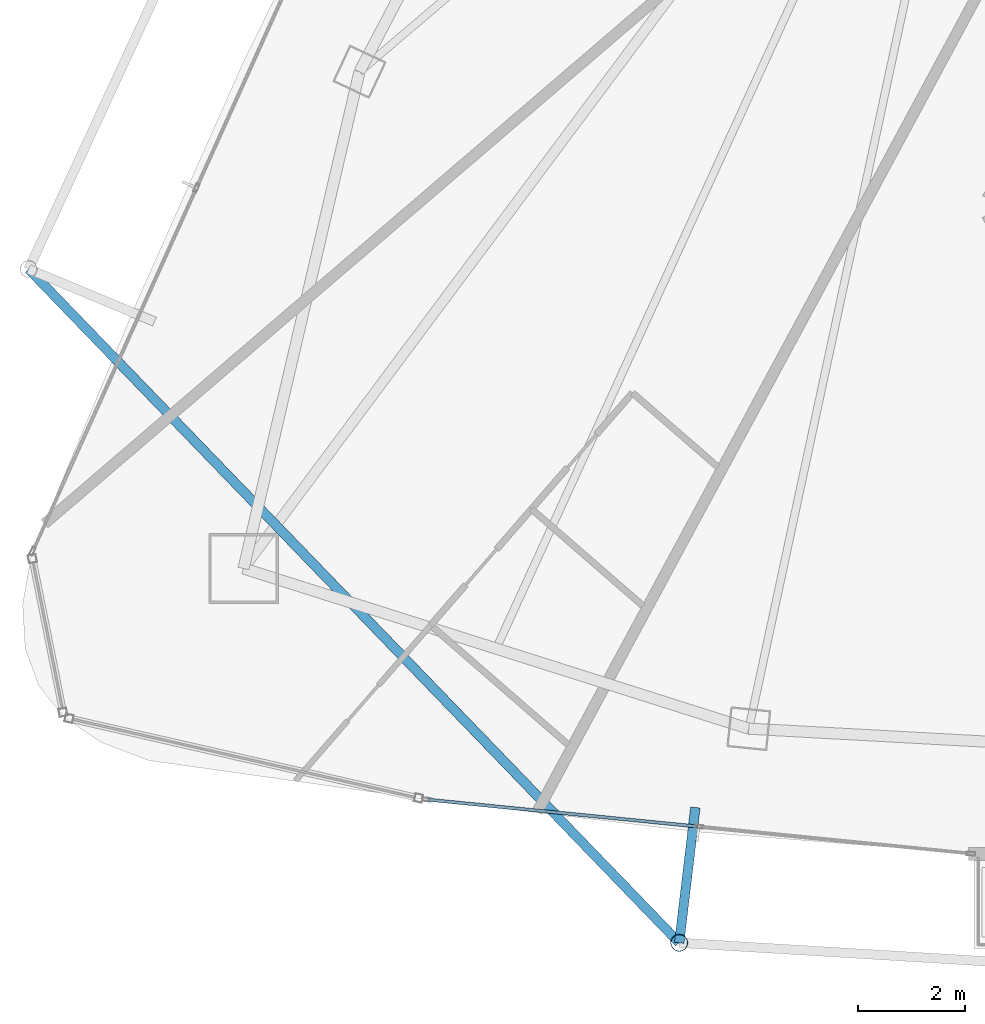
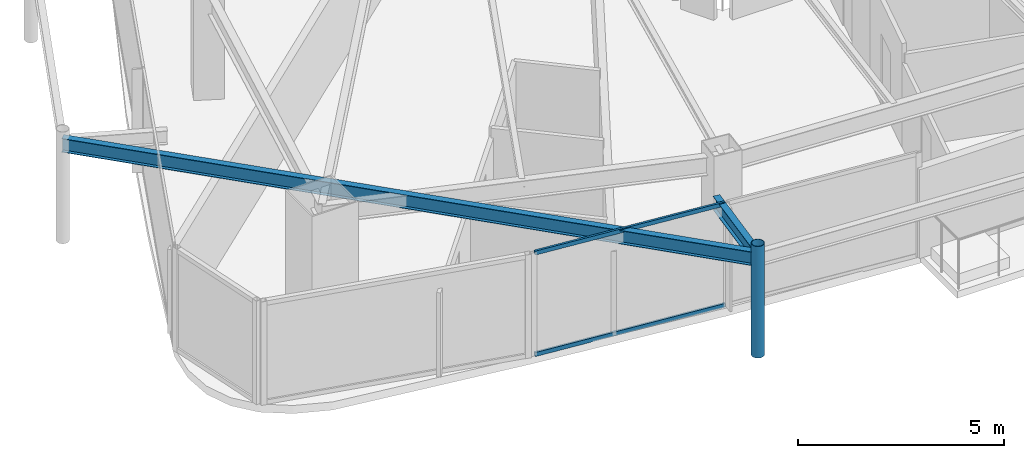
# One storey, part 3 of 30: 3 members, 2 beams, 1 element without a shape of its own.
"""IFC4 building model written with IfcOpenShell, lengths in metres."""

import ifcopenshell
import ifcopenshell.guid

model = None  # the IFC model being written
_history = None  # IfcOwnerHistory: only IFC2X3 demands one
_inside = {}  # id of a spatial element -> (the spatial element, [elements in it])
_under = {}  # id of a project, library or spatial element -> (it, [spatial elements below it])
_declared = {}  # id of a project -> (the project, [libraries it declares])
_typed = {}  # id of a type object -> (the type object, [elements of that type])
_made_of = {}  # id of a material, layer set ... -> (it, [elements and type objects made of it])


def new_model(schema):
    """Start an empty IFC model of exactly this schema.

    Asked for "IFC4X3", IfcOpenShell would pick the latest addendum, in which some entities
    have other attributes; the version numbers below select the first issue.
    IFC2X3 requires an IfcOwnerHistory on every rooted entity: one is made here for all.
    """
    global model, _history
    if schema == "IFC4X3":
        model = ifcopenshell.file(schema_version=(4, 3, 0, 0))
    else:
        model = ifcopenshell.file(schema=schema)
    _inside.clear()
    _under.clear()
    _declared.clear()
    _typed.clear()
    _made_of.clear()
    _history = None
    if model.schema == "IFC2X3":
        org = make("IfcOrganization", Name="unknown")
        user = make(
            "IfcPersonAndOrganization",
            ThePerson=make("IfcPerson", FamilyName="unknown"),
            TheOrganization=org,
        )
        app = make(
            "IfcApplication",
            ApplicationDeveloper=org,
            Version="unknown",
            ApplicationFullName="unknown",
            ApplicationIdentifier="unknown",
        )
        _history = make(
            "IfcOwnerHistory",
            OwningUser=user,
            OwningApplication=app,
            ChangeAction="ADDED",
            CreationDate=0,
        )
    return model


def make(cls, **values):
    """One entity of the class cls with the attributes given. An attribute that is None is left unset."""
    return model.create_entity(
        cls, **{name: value for name, value in values.items() if value is not None}
    )


def rooted(cls, **values):
    """An entity with a GlobalId (a new one), such as an element, a storey or a relation."""
    return make(cls, GlobalId=ifcopenshell.guid.new(), OwnerHistory=_history, **values)


def si_unit(unit_type, name, prefix=None):
    """IfcSIUnit, for example si_unit("LENGTHUNIT", "METRE", prefix="MILLI")."""
    return make("IfcSIUnit", UnitType=unit_type, Prefix=prefix, Name=name)


def assignment(units):
    """IfcUnitAssignment: the units of a project."""
    return None if units is None else make("IfcUnitAssignment", Units=units)


def point(xyz):
    """IfcCartesianPoint."""
    return None if xyz is None else make("IfcCartesianPoint", Coordinates=xyz)


def direction(xyz):
    """IfcDirection."""
    return None if xyz is None else make("IfcDirection", DirectionRatios=xyz)


def frame(location, z_axis=None, x_axis=None):
    """IfcAxis2Placement3D, a coordinate frame: its origin and axes. An axis left out is left unset."""
    return make(
        "IfcAxis2Placement3D",
        Location=point(location),
        Axis=direction(z_axis),
        RefDirection=direction(x_axis),
    )


def frame_2d(location, x_axis=None):
    """IfcAxis2Placement2D, a coordinate frame in the plane: its origin and x axis."""
    return make(
        "IfcAxis2Placement2D", Location=point(location), RefDirection=direction(x_axis)
    )


def origin():
    """The frame at (0, 0, 0) with its axes left unset."""
    return frame((0.0, 0.0, 0.0))


def origin_2d():
    """The frame at (0, 0) in the plane with its x axis left unset."""
    return frame_2d((0.0, 0.0))


def place(relative_to, where):
    """IfcLocalPlacement: puts the frame where relative to a parent placement (None: the world)."""
    return make(
        "IfcLocalPlacement", PlacementRelTo=relative_to, RelativePlacement=where
    )


def context(
    kind, dimensions, precision=None, world=None, true_north=None, identifier=None
):
    """IfcGeometricRepresentationContext, for example the 3D "Model" context."""
    return make(
        "IfcGeometricRepresentationContext",
        ContextIdentifier=identifier,
        ContextType=kind,
        CoordinateSpaceDimension=dimensions,
        Precision=precision,
        WorldCoordinateSystem=world,
        TrueNorth=true_north,
    )


def subcontext(parent, identifier, kind, view, scale=None):
    """IfcGeometricRepresentationSubContext, for example "Body" below "Model"."""
    return make(
        "IfcGeometricRepresentationSubContext",
        ContextIdentifier=identifier,
        ContextType=kind,
        ParentContext=parent,
        TargetScale=scale,
        TargetView=view,
    )


def project(units=None, contexts=None):
    """IfcProject with its units and contexts."""
    return rooted(
        "IfcProject",
        Name="project",
        RepresentationContexts=contexts,
        UnitsInContext=assignment(units),
    )


def spatial(cls, under=None, at=None, **own):
    """A site, building, storey or space (cls), placed at a placement, below another one or the project."""
    s = rooted(cls, ObjectPlacement=at, **own)
    if under is not None:
        _under.setdefault(under.id(), (under, []))[1].append(s)
    return s


def profile(cls, at=None, kind="AREA", **sizes):
    """A parametric profile (cls). Its sizes go by their IFC names, for example OverallWidth=200.0."""
    return make(cls, ProfileType=kind, Position=at, **sizes)


def hollow_rectangle(**sizes):
    """IfcRectangleHollowProfileDef."""
    return profile("IfcRectangleHollowProfileDef", **sizes)


def hollow_circle(**sizes):
    """IfcCircleHollowProfileDef."""
    return profile("IfcCircleHollowProfileDef", **sizes)


def i_section(**sizes):
    """IfcIShapeProfileDef."""
    return profile("IfcIShapeProfileDef", **sizes)


def extrude(swept, where, along, depth):
    """IfcExtrudedAreaSolid: the profile swept, set in the frame where, extruded along a direction by depth."""
    return make(
        "IfcExtrudedAreaSolid",
        SweptArea=swept,
        Position=where,
        ExtrudedDirection=direction(along),
        Depth=depth,
    )


def shape(context_of_items, identifier, shape_type, items):
    """IfcShapeRepresentation: the items that make up one representation, for example the "Body"."""
    return make(
        "IfcShapeRepresentation",
        ContextOfItems=context_of_items,
        RepresentationIdentifier=identifier,
        RepresentationType=shape_type,
        Items=items,
    )


def material(Name=None, Category=None):
    """IfcMaterial."""
    return make("IfcMaterial", Name=Name, Category=Category)


def layer(
    of_material, thickness, ventilated=None, Name=None, Category=None, Priority=None
):
    """IfcMaterialLayer: one layer of a wall or slab, of a material (None: an air gap)."""
    return make(
        "IfcMaterialLayer",
        Material=of_material,
        LayerThickness=thickness,
        IsVentilated=ventilated,
        Name=Name,
        Category=Category,
        Priority=Priority,
    )


def layer_set(layers, Name=None):
    """IfcMaterialLayerSet."""
    return make("IfcMaterialLayerSet", MaterialLayers=layers, LayerSetName=Name)


def material_profile(
    of_material, cross_section, Name=None, Category=None, Priority=None
):
    """IfcMaterialProfile: a cross section and its material."""
    return make(
        "IfcMaterialProfile",
        Name=Name,
        Material=of_material,
        Profile=cross_section,
        Priority=Priority,
        Category=Category,
    )


def profile_set(profiles, Name=None, composite=None):
    """IfcMaterialProfileSet."""
    return make(
        "IfcMaterialProfileSet",
        Name=Name,
        MaterialProfiles=profiles,
        CompositeProfile=composite,
    )


def made_of(thing, what):
    """Note that an element or type object is made of a material, layer set ...; save() writes the relation."""
    if what is not None:
        _made_of.setdefault(what.id(), (what, []))[1].append(thing)
    return thing


def type_object(cls, material=None, **own):
    """A type object (cls), such as IfcWallType, which elements share."""
    return made_of(rooted(cls, **own), material)


def element(
    cls,
    number,
    at=None,
    inside=None,
    cuts=None,
    type_object=None,
    material=None,
    context=None,
    identifier="Body",
    shape_type=None,
    held_by="IfcProductDefinitionShape",
    body=None,
    shapes=None,
    **own,
):
    """One element of the class cls, such as IfcWall. Its Tag is "e" and its number.

    at: its placement. inside: the storey or other place that contains it. cuts: it is an
    opening in that element (IfcRelVoidsElement). A single representation is given by context,
    identifier, shape_type and body (its items); several are given by shapes. held_by: the class
    of the entity that holds the representations. save() writes the other relations.
    """
    e = rooted(cls, Tag="e%d" % number, ObjectPlacement=at, **own)
    if body is not None:
        shapes = [shape(context, identifier, shape_type, body)]
    if shapes is not None:
        e.Representation = make(held_by, Representations=shapes)
    if inside is not None:
        _inside.setdefault(inside.id(), (inside, []))[1].append(e)
    if cuts is not None:
        rooted(
            "IfcRelVoidsElement", RelatingBuildingElement=cuts, RelatedOpeningElement=e
        )
    if type_object is not None:
        _typed.setdefault(type_object.id(), (type_object, []))[1].append(e)
    return made_of(e, material)


def aggregate(whole, parts):
    """IfcRelAggregates: a whole, such as a stair, and the parts it consists of."""
    return rooted("IfcRelAggregates", RelatingObject=whole, RelatedObjects=parts)


def save(model, path):
    """Write the relations noted so far, then the file.

    IfcRelAggregates (storeys below a building ...), IfcRelContainedInSpatialStructure (elements
    in a storey), IfcRelDefinesByType, IfcRelAssociatesMaterial and IfcRelDeclares: one each for
    every whole, place, type object, material and project.
    """
    for whole, parts in _under.values():
        aggregate(whole, parts)
    for where, things in _inside.values():
        rooted(
            "IfcRelContainedInSpatialStructure",
            RelatedElements=things,
            RelatingStructure=where,
        )
    for kind, things in _typed.values():
        rooted("IfcRelDefinesByType", RelatedObjects=things, RelatingType=kind)
    for what, things in _made_of.values():
        rooted("IfcRelAssociatesMaterial", RelatedObjects=things, RelatingMaterial=what)
    for by, libraries in _declared.values():
        rooted("IfcRelDeclares", RelatingContext=by, RelatedDefinitions=libraries)
    model.write(path)


model = new_model("IFC4")

# Units and contexts
model_context = context("Model", 3, precision=1e-05, world=origin(), true_north=direction((0.0, 1.0)))
body_context = subcontext(model_context, "Body", "Model", "MODEL_VIEW")
ifc_project = project(units=[si_unit("LENGTHUNIT", "METRE"), si_unit("AREAUNIT", "SQUARE_METRE"), si_unit("VOLUMEUNIT", "CUBIC_METRE"), si_unit("PLANEANGLEUNIT", "RADIAN"), si_unit("MASSUNIT", "GRAM", prefix="KILO")], contexts=[model_context])

# Site, building, storey
site_placement = place(None, origin())
site = spatial("IfcSite", under=ifc_project, at=site_placement, CompositionType="ELEMENT")
building_placement = place(site_placement, origin())
building = spatial("IfcBuilding", under=site, at=building_placement, Name="Orvanel Arch Residences", CompositionType="ELEMENT")
storey_placement = place(building_placement, frame((0.0, 0.0, 226.10009765625)))
storey = spatial("IfcBuildingStorey", under=building, at=storey_placement, Name="L64", CompositionType="ELEMENT", Elevation=226.10009765625)

# Beams
ifc_material_1 = material(Name="Structural steel AS/NZS 3679.1 Grade 300 (300 MPa)", Category="steel")
ifc_material_profile_1 = material_profile(ifc_material_1, i_section(OverallWidth=0.177978515625, OverallDepth=0.406005859375, WebThickness=0.0078125, FlangeThickness=0.0126953125, at=origin_2d()), Name="410UB59.7")
ifc_profile_set_1 = profile_set([ifc_material_profile_1], Name="Structural steel AS/NZS 3679.1 Grade 300 (300 MPa)")
beam_type = type_object("IfcBeamType", Name="OB-410UB-EXT", PredefinedType="SPANDREL", material=ifc_profile_set_1)
beam_1_placement = place(storey_placement, frame((10.179931640625, 15.950927734375, 2.85693359375), z_axis=(0.694614412616, -0.719382247339, 0.0), x_axis=(0.719382247339, 0.694614412616, 0.0)))
element("IfcBeam", 1, at=beam_1_placement, inside=storey, type_object=beam_type, Name="L64 Outer Perimeter Floor Ring Beam 04", PredefinedType="SPANDREL", context=body_context, shape_type="SweptSolid", body=[
    extrude(i_section(OverallWidth=0.177978515625, OverallDepth=0.406005859375, WebThickness=0.0078125, FlangeThickness=0.0126953125, at=origin_2d()), origin(), (0.0, 0.0, 1.0), 17.51611328125),
])
beam_2_placement = place(storey_placement, frame((22.64892578125, 5.882080078125, 2.85693359375), z_axis=(-0.118435415518, -0.992961757749, 0.0), x_axis=(0.992961757749, -0.118435415518, 0.0)))
element("IfcBeam", 2, at=beam_2_placement, inside=storey, type_object=beam_type, Name="L64 Outer Frame Radial Tie Beam 05", PredefinedType="SPANDREL", context=body_context, shape_type="SweptSolid", body=[
    extrude(i_section(OverallWidth=0.177978515625, OverallDepth=0.406005859375, WebThickness=0.0078125, FlangeThickness=0.0126953125, at=origin_2d()), origin(), (0.0, 0.0, 1.0), 2.550048828125),
])

# Member
ifc_material_2 = material(Name="Structural steel AS/NZS 1163 C350L0 (Grade 350)", Category="steel")
ifc_material_profile_2 = material_profile(ifc_material_2, hollow_circle(Radius=0.162109375, WallThickness=0.0126953125, at=origin_2d()), Name="CHS324x12.7")
ifc_profile_set_2 = profile_set([ifc_material_profile_2], Name="Structural steel AS/NZS 1163 C350L0 (Grade 350)")
member_type_1 = type_object("IfcMemberType", Name="ST-324CHS-EXT", PredefinedType="STRUT", material=ifc_profile_set_2)
member_1_placement = place(storey_placement, frame((22.346923828125, 3.35009765625, 0.0), z_axis=(0.0, 0.0, 1.0), x_axis=(1.0, 0.0, 0.0)))
element("IfcMember", 3, at=member_1_placement, inside=storey, type_object=member_type_1, Name="L64 Outer Perimeter Frame Post 05", PredefinedType="STRUT", context=body_context, shape_type="SweptSolid", body=[
    extrude(hollow_circle(Radius=0.162109375, WallThickness=0.0126953125, at=origin_2d()), origin(), (0.0, 0.0, 1.0), 3.2998046875),
])

# Curtain wall, members
ifc_material_3 = material(Name="Bronze-anodised aluminium AA6063-T6", Category="aluminium")
ifc_layer = layer(ifc_material_3, 0.175048828125)
ifc_layer_set = layer_set([ifc_layer], Name="Bronze-anodised aluminium AA6063-T6")
curtain_wall_type = type_object("IfcCurtainWallType", Name="CW4-HI-SYS", PredefinedType="NOTDEFINED", material=ifc_layer_set)
curtain_wall_placement = place(storey_placement, origin())
curtain_wall = element("IfcCurtainWall", 4, at=curtain_wall_placement, inside=storey, type_object=curtain_wall_type, Name="L64 CW4-HI-SYS Unitised Curtain Wall", PredefinedType="NOTDEFINED")
ifc_material_profile_3 = material_profile(ifc_material_3, hollow_rectangle(XDim=0.06005859375, YDim=0.1201171875, WallThickness=0.00341796875, at=origin_2d()), Name="ALU120x60x3.5")
ifc_profile_set_3 = profile_set([ifc_material_profile_3], Name="Bronze-anodised aluminium AA6063-T6")
member_type_2 = type_object("IfcMemberType", Name="TRN-120x60", PredefinedType="USERDEFINED", material=ifc_profile_set_3)
member_2_placement = place(storey_placement, frame((17.651611328125, 6.026611328125, 0.02978515625), z_axis=(0.995081584648, -0.099058769899, 0.0), x_axis=(0.099058769899, 0.995081584648, 0.0)))
member_2 = element("IfcMember", 5, at=member_2_placement, type_object=member_type_2, Name="CW-S4 transom 1.1", ObjectType="TRANSOM", PredefinedType="USERDEFINED", context=body_context, shape_type="SweptSolid", body=[
    extrude(hollow_rectangle(XDim=0.06005859375, YDim=0.1201171875, WallThickness=0.00341796875, at=origin_2d()), origin(), (0.0, 0.0, 1.0), 5.052490234375),
])
member_3_placement = place(storey_placement, frame((17.651611328125, 6.026611328125, 3.02978515625), z_axis=(0.995081584648, -0.099058769899, 0.0), x_axis=(0.099058769899, 0.995081584648, 0.0)))
member_3 = element("IfcMember", 6, at=member_3_placement, type_object=member_type_2, Name="CW-S4 transom 1.2", ObjectType="TRANSOM", PredefinedType="USERDEFINED", context=body_context, shape_type="SweptSolid", body=[
    extrude(hollow_rectangle(XDim=0.06005859375, YDim=0.1201171875, WallThickness=0.00341796875, at=origin_2d()), origin(), (0.0, 0.0, 1.0), 5.052490234375),
])
aggregate(curtain_wall, [member_2, member_3])

save(model, "model.ifc")
